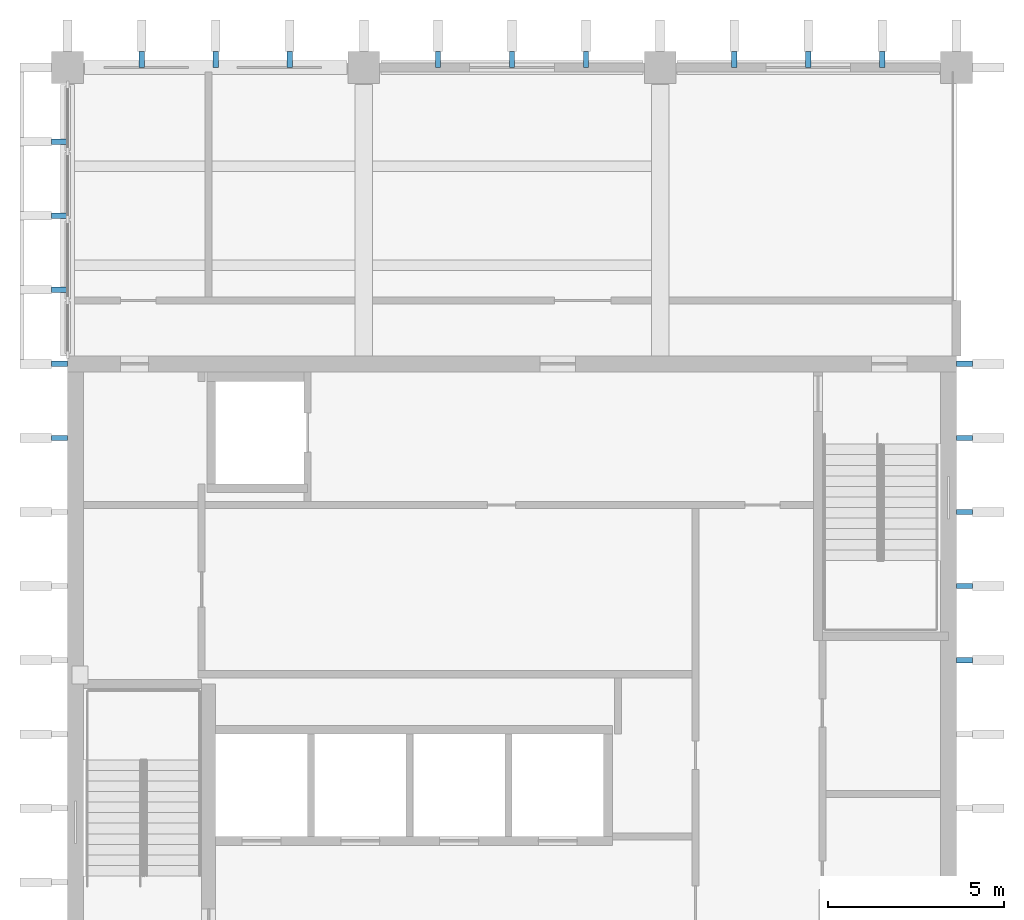
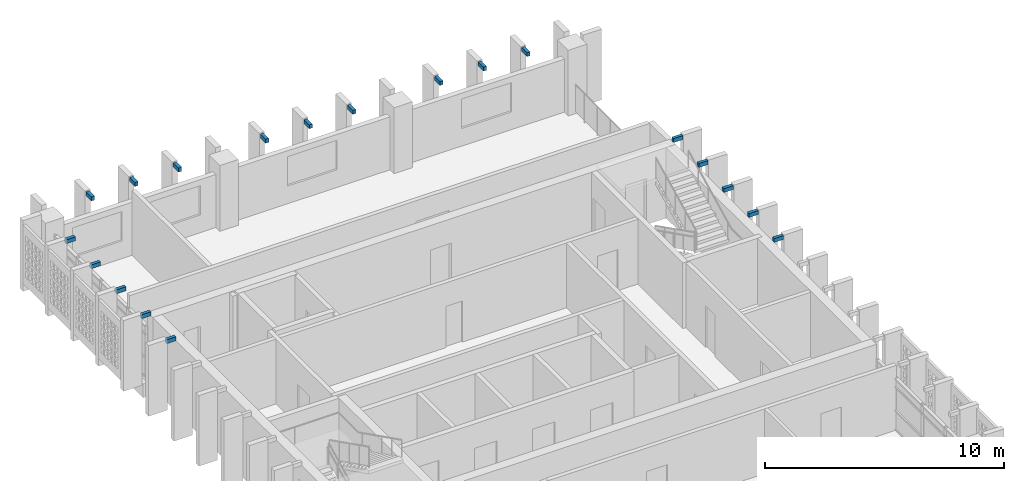
# One storey, part 7 of 13: 19 discrete accessories.
"""IFC4 building model written with IfcOpenShell, lengths in metres."""

from ifc_helpers import new_model, si_unit, direction, frame, origin, origin_2d, place, context, subcontext, project, spatial, rectangle, extrude, material, type_object, element, save


model = new_model("IFC4")

# Units and contexts
model_context = context("Model", 3, precision=1e-05, world=origin(), true_north=direction((0.0, 1.0)))
body_context = subcontext(model_context, "Body", "Model", "MODEL_VIEW")
ifc_project = project(units=[si_unit("LENGTHUNIT", "METRE"), si_unit("AREAUNIT", "SQUARE_METRE"), si_unit("VOLUMEUNIT", "CUBIC_METRE"), si_unit("PLANEANGLEUNIT", "RADIAN"), si_unit("MASSUNIT", "GRAM", prefix="KILO")], contexts=[model_context])

# Site, building, storey
site_placement = place(None, origin())
site = spatial("IfcSite", under=ifc_project, at=site_placement, CompositionType="ELEMENT")
building_placement = place(site_placement, origin())
building = spatial("IfcBuilding", under=site, at=building_placement, Name="Rulbaag Community and Learning Centre", CompositionType="ELEMENT")
storey_placement = place(building_placement, frame((0.0, 0.0, 25.199951171875)))
storey = spatial("IfcBuildingStorey", under=building, at=storey_placement, Name="L06", CompositionType="ELEMENT", Elevation=25.199951171875)

# Discrete accessories
ifc_material = material(Name="Steel E350", Category="steel")
discrete_accessory_type = type_object("IfcDiscreteAccessoryType", Name="BR-FN", PredefinedType="BRACKET", material=ifc_material)
for number, where, z_axis, x_axis, name in (
    (1, (144.89990234375, 117.824951171875, 3.35009765625), (0.0, 0.0, 1.0), (1.0, 0.0, 0.0), "Fin arm"),
    (2, (147.0, 117.824951171875, 3.35009765625), (0.0, 0.0, 1.0), (1.0, 0.0, 0.0), "Fin arm"),
    (3, (149.10009765625, 117.824951171875, 3.35009765625), (0.0, 0.0, 1.0), (1.0, 0.0, 0.0), "Fin arm"),
    (4, (153.300048828125, 117.824951171875, 3.35009765625), (0.0, 0.0, 1.0), (1.0, 0.0, 0.0), "Fin arm"),
    (5, (155.39990234375, 117.824951171875, 3.35009765625), (0.0, 0.0, 1.0), (1.0, 0.0, 0.0), "Fin arm"),
    (6, (157.5, 117.824951171875, 3.35009765625), (0.0, 0.0, 1.0), (1.0, 0.0, 0.0), "Fin arm"),
    (7, (161.699951171875, 117.824951171875, 3.35009765625), (0.0, 0.0, 1.0), (1.0, 0.0, 0.0), "Fin arm"),
    (8, (163.800048828125, 117.824951171875, 3.35009765625), (0.0, 0.0, 1.0), (1.0, 0.0, 0.0), "Fin arm"),
    (9, (165.89990234375, 117.824951171875, 3.35009765625), (0.0, 0.0, 1.0), (1.0, 0.0, 0.0), "Fin arm"),
):
    element("IfcDiscreteAccessory", number, at=place(storey_placement, frame(where, z_axis=z_axis, x_axis=x_axis)), inside=storey, type_object=discrete_accessory_type, Name=name, PredefinedType="BRACKET", context=body_context, shape_type="SweptSolid", body=[
        extrude(rectangle(XDim=0.14990234375, YDim=0.449951171875, at=origin_2d()), origin(), (0.0, 0.0, 1.0), 0.199951171875),
    ])
for number, where, z_axis, x_axis, name in (
    (10, (142.574951171875, 107.10009765625, 3.35009765625), (0.0, 0.0, 1.0), (1.0, 0.0, 0.0), "Fin arm"),
    (11, (142.574951171875, 109.199951171875, 3.35009765625), (0.0, 0.0, 1.0), (1.0, 0.0, 0.0), "Fin arm"),
    (12, (142.574951171875, 111.300048828125, 3.35009765625), (0.0, 0.0, 1.0), (1.0, 0.0, 0.0), "Fin arm"),
    (13, (142.574951171875, 113.39990234375, 3.35009765625), (0.0, 0.0, 1.0), (1.0, 0.0, 0.0), "Fin arm"),
    (14, (142.574951171875, 115.5, 3.35009765625), (0.0, 0.0, 1.0), (1.0, 0.0, 0.0), "Fin arm"),
    (15, (168.22509765625, 100.800048828125, 3.35009765625), (0.0, 0.0, 1.0), (1.0, 0.0, 0.0), "Fin arm"),
    (16, (168.22509765625, 102.89990234375, 3.35009765625), (0.0, 0.0, 1.0), (1.0, 0.0, 0.0), "Fin arm"),
    (17, (168.22509765625, 105.0, 3.35009765625), (0.0, 0.0, 1.0), (1.0, 0.0, 0.0), "Fin arm"),
    (18, (168.22509765625, 107.10009765625, 3.35009765625), (0.0, 0.0, 1.0), (1.0, 0.0, 0.0), "Fin arm"),
    (19, (168.22509765625, 109.199951171875, 3.35009765625), (0.0, 0.0, 1.0), (1.0, 0.0, 0.0), "Fin arm"),
):
    element("IfcDiscreteAccessory", number, at=place(storey_placement, frame(where, z_axis=z_axis, x_axis=x_axis)), inside=storey, type_object=discrete_accessory_type, Name=name, PredefinedType="BRACKET", context=body_context, shape_type="SweptSolid", body=[
        extrude(rectangle(XDim=0.449951171875, YDim=0.14990234375, at=origin_2d()), origin(), (0.0, 0.0, 1.0), 0.199951171875),
    ])

save(model, "model.ifc")
